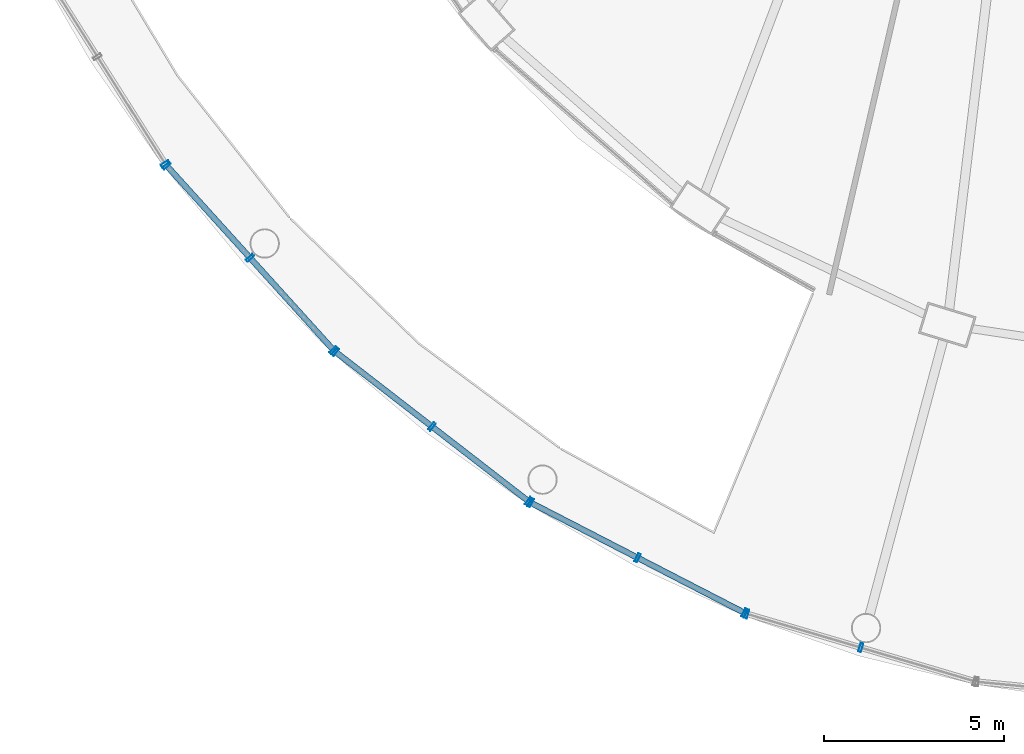
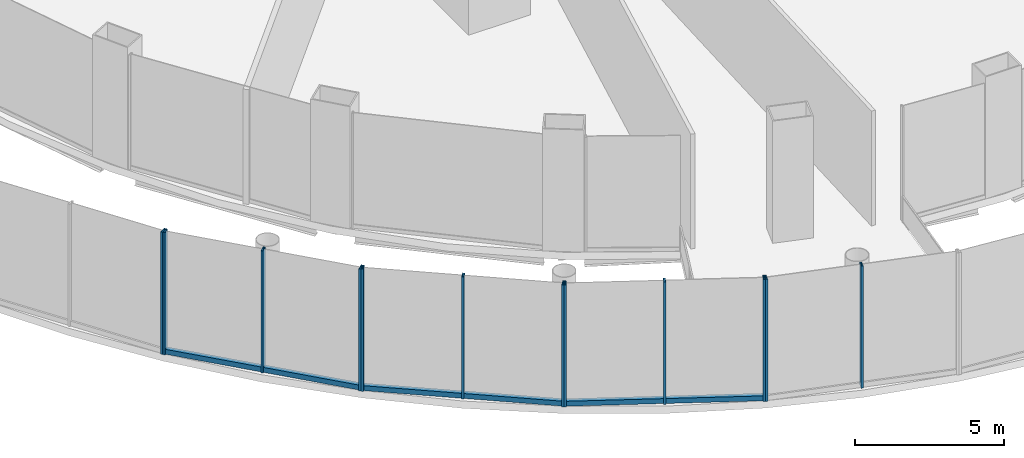
# One storey, part 3 of 48: 15 members, 5 elements without a shape of their own.
"""IFC4 building model written with IfcOpenShell, lengths in metres."""

from ifc_helpers import new_model, si_unit, direction, frame, origin, origin_2d, place, context, subcontext, project, spatial, hollow_rectangle, extrude, material, layer, layer_set, material_profile, profile_set, type_object, element, aggregate, save


model = new_model("IFC4")

# Units and contexts
model_context = context("Model", 3, precision=1e-05, world=origin(), true_north=direction((0.0, 1.0)))
body_context = subcontext(model_context, "Body", "Model", "MODEL_VIEW")
ifc_project = project(units=[si_unit("LENGTHUNIT", "METRE"), si_unit("AREAUNIT", "SQUARE_METRE"), si_unit("VOLUMEUNIT", "CUBIC_METRE"), si_unit("PLANEANGLEUNIT", "RADIAN"), si_unit("MASSUNIT", "GRAM", prefix="KILO")], contexts=[model_context])

# Site, building, storey
site_placement = place(None, origin())
site = spatial("IfcSite", under=ifc_project, at=site_placement, CompositionType="ELEMENT")
building_placement = place(site_placement, origin())
building = spatial("IfcBuilding", under=site, at=building_placement, Name="Nagisa Residences", CompositionType="ELEMENT")
storey_placement = place(building_placement, frame((0.0, 0.0, 12.0)))
storey = spatial("IfcBuildingStorey", under=building, at=storey_placement, Name="L02", CompositionType="ELEMENT", Elevation=12.0)

# Curtain wall, member
ifc_material_1 = material(Name="Stainless steel curtain wall system", Category="steel")
ifc_layer = layer(ifc_material_1, 0.159912109375)
ifc_layer_set = layer_set([ifc_layer], Name="CW3 CURTAIN WALL")
curtain_wall_type = type_object("IfcCurtainWallType", Name="CW3 CURTAIN WALL", PredefinedType="NOTDEFINED", material=ifc_layer_set)
curtain_wall_1_placement = place(storey_placement, origin())
curtain_wall_1 = element("IfcCurtainWall", 1, at=curtain_wall_1_placement, inside=storey, type_object=curtain_wall_type, Name="cw:CW3:L02:21", PredefinedType="NOTDEFINED")
ifc_material_2 = material(Name="Stainless steel", Category="steel")
ifc_material_profile_1 = material_profile(ifc_material_2, hollow_rectangle(XDim=0.25, YDim=0.080078125, WallThickness=0.008056640625, at=origin_2d()), Name="CW3 MULLION 250x80")
ifc_profile_set_1 = profile_set([ifc_material_profile_1], Name="Stainless steel")
member_type_1 = type_object("IfcMemberType", Name="CW3 MULLION 250x80", PredefinedType="MULLION", material=ifc_profile_set_1)
member_1_placement = place(storey_placement, frame((-25.463623046875, -26.92041015625, 0.0), z_axis=(0.0, 0.0, 1.0), x_axis=(0.844747368001, 0.535165286856, 0.0)))
member_1 = element("IfcMember", 2, at=member_1_placement, type_object=member_type_1, Name="CW3 mullion", PredefinedType="MULLION", context=body_context, shape_type="SweptSolid", body=[
    extrude(hollow_rectangle(XDim=0.25, YDim=0.080078125, WallThickness=0.008056640625, at=origin_2d()), origin(), (0.0, 0.0, 1.0), 5.0),
])
aggregate(curtain_wall_1, [member_1])

# Curtain wall, members
curtain_wall_2_placement = place(storey_placement, origin())
curtain_wall_2 = element("IfcCurtainWall", 3, at=curtain_wall_2_placement, inside=storey, type_object=curtain_wall_type, Name="cw:CW3:L02:22", PredefinedType="NOTDEFINED")
member_2_placement = place(storey_placement, frame((-25.423583984375, -26.97314453125, 0.0), z_axis=(0.0, 0.0, 1.0), x_axis=(0.741535779122, 0.670913323971, 0.0)))
member_2 = element("IfcMember", 4, at=member_2_placement, type_object=member_type_1, Name="CW3 mullion", PredefinedType="MULLION", context=body_context, shape_type="SweptSolid", body=[
    extrude(hollow_rectangle(XDim=0.25, YDim=0.080078125, WallThickness=0.008056640625, at=origin_2d()), origin(), (0.0, 0.0, 1.0), 5.0),
])
member_3_placement = place(storey_placement, frame((-23.1083984375, -29.53173828125, 0.0), z_axis=(0.0, 0.0, 1.0), x_axis=(0.741535779122, 0.670913323971, 0.0)))
member_3 = element("IfcMember", 5, at=member_3_placement, type_object=member_type_1, Name="CW3 mullion", PredefinedType="MULLION", context=body_context, shape_type="SweptSolid", body=[
    extrude(hollow_rectangle(XDim=0.25, YDim=0.080078125, WallThickness=0.008056640625, at=origin_2d()), origin(), (0.0, 0.0, 1.0), 5.0),
])
member_4_placement = place(storey_placement, frame((-20.79345703125, -32.090576171875, 0.0), z_axis=(0.0, 0.0, 1.0), x_axis=(0.741535779122, 0.670913323971, 0.0)))
member_4 = element("IfcMember", 6, at=member_4_placement, type_object=member_type_1, Name="CW3 mullion", PredefinedType="MULLION", context=body_context, shape_type="SweptSolid", body=[
    extrude(hollow_rectangle(XDim=0.25, YDim=0.080078125, WallThickness=0.008056640625, at=origin_2d()), origin(), (0.0, 0.0, 1.0), 5.0),
])

curtain_wall_3_placement = place(storey_placement, origin())
curtain_wall_3 = element("IfcCurtainWall", 7, at=curtain_wall_3_placement, inside=storey, type_object=curtain_wall_type, Name="cw:CW3:L02:23", PredefinedType="NOTDEFINED")
member_5_placement = place(storey_placement, frame((-20.745361328125, -32.135009765625, 0.0), z_axis=(0.0, 0.0, 1.0), x_axis=(0.612034757172, 0.790830864353, 0.0)))
member_5 = element("IfcMember", 8, at=member_5_placement, type_object=member_type_1, Name="CW3 mullion", PredefinedType="MULLION", context=body_context, shape_type="SweptSolid", body=[
    extrude(hollow_rectangle(XDim=0.25, YDim=0.080078125, WallThickness=0.008056640625, at=origin_2d()), origin(), (0.0, 0.0, 1.0), 5.0),
])
member_6_placement = place(storey_placement, frame((-18.06396484375, -34.210205078125, 0.0), z_axis=(0.0, 0.0, 1.0), x_axis=(0.612034757172, 0.790830864353, 0.0)))
member_6 = element("IfcMember", 9, at=member_6_placement, type_object=member_type_1, Name="CW3 mullion", PredefinedType="MULLION", context=body_context, shape_type="SweptSolid", body=[
    extrude(hollow_rectangle(XDim=0.25, YDim=0.080078125, WallThickness=0.008056640625, at=origin_2d()), origin(), (0.0, 0.0, 1.0), 5.0),
])
member_7_placement = place(storey_placement, frame((-15.382568359375, -36.285400390625, 0.0), z_axis=(0.0, 0.0, 1.0), x_axis=(0.612034757172, 0.790830864353, 0.0)))
member_7 = element("IfcMember", 10, at=member_7_placement, type_object=member_type_1, Name="CW3 mullion", PredefinedType="MULLION", context=body_context, shape_type="SweptSolid", body=[
    extrude(hollow_rectangle(XDim=0.25, YDim=0.080078125, WallThickness=0.008056640625, at=origin_2d()), origin(), (0.0, 0.0, 1.0), 5.0),
])

curtain_wall_4_placement = place(storey_placement, origin())
curtain_wall_4 = element("IfcCurtainWall", 11, at=curtain_wall_4_placement, inside=storey, type_object=curtain_wall_type, Name="cw:CW3:L02:24", PredefinedType="NOTDEFINED")
member_8_placement = place(storey_placement, frame((-15.327880859375, -36.3203125, 0.0), z_axis=(0.0, 0.0, 1.0), x_axis=(0.45812598783, 0.888887270285, 0.0)))
member_8 = element("IfcMember", 12, at=member_8_placement, type_object=member_type_1, Name="CW3 mullion", PredefinedType="MULLION", context=body_context, shape_type="SweptSolid", body=[
    extrude(hollow_rectangle(XDim=0.25, YDim=0.080078125, WallThickness=0.008056640625, at=origin_2d()), origin(), (0.0, 0.0, 1.0), 5.0),
])
member_9_placement = place(storey_placement, frame((-12.36181640625, -37.848876953125, 0.0), z_axis=(0.0, 0.0, 1.0), x_axis=(0.45812598783, 0.888887270285, 0.0)))
member_9 = element("IfcMember", 13, at=member_9_placement, type_object=member_type_1, Name="CW3 mullion", PredefinedType="MULLION", context=body_context, shape_type="SweptSolid", body=[
    extrude(hollow_rectangle(XDim=0.25, YDim=0.080078125, WallThickness=0.008056640625, at=origin_2d()), origin(), (0.0, 0.0, 1.0), 5.0),
])
member_10_placement = place(storey_placement, frame((-9.395751953125, -39.377685546875, 0.0), z_axis=(0.0, 0.0, 1.0), x_axis=(0.45812598783, 0.888887270285, 0.0)))
member_10 = element("IfcMember", 14, at=member_10_placement, type_object=member_type_1, Name="CW3 mullion", PredefinedType="MULLION", context=body_context, shape_type="SweptSolid", body=[
    extrude(hollow_rectangle(XDim=0.25, YDim=0.080078125, WallThickness=0.008056640625, at=origin_2d()), origin(), (0.0, 0.0, 1.0), 5.0),
])

curtain_wall_5_placement = place(storey_placement, origin())
curtain_wall_5 = element("IfcCurtainWall", 15, at=curtain_wall_5_placement, inside=storey, type_object=curtain_wall_type, Name="cw:CW3:L02:25", PredefinedType="NOTDEFINED")
member_11_placement = place(storey_placement, frame((-9.335693359375, -39.40185546875, 0.0), z_axis=(0.0, 0.0, 1.0), x_axis=(0.283963226669, 0.958835171393, 0.0)))
member_11 = element("IfcMember", 16, at=member_11_placement, type_object=member_type_1, Name="CW3 mullion", PredefinedType="MULLION", context=body_context, shape_type="SweptSolid", body=[
    extrude(hollow_rectangle(XDim=0.25, YDim=0.080078125, WallThickness=0.008056640625, at=origin_2d()), origin(), (0.0, 0.0, 1.0), 5.0),
])
member_12_placement = place(storey_placement, frame((-6.175048828125, -40.337890625, 0.0), z_axis=(0.0, 0.0, 1.0), x_axis=(0.283963226669, 0.958835171393, 0.0)))
member_12 = element("IfcMember", 17, at=member_12_placement, type_object=member_type_1, Name="CW3 mullion", PredefinedType="MULLION", context=body_context, shape_type="SweptSolid", body=[
    extrude(hollow_rectangle(XDim=0.25, YDim=0.080078125, WallThickness=0.008056640625, at=origin_2d()), origin(), (0.0, 0.0, 1.0), 5.0),
])
aggregate(curtain_wall_5, [member_11, member_12])

# Member
ifc_material_3 = material(Name="Stainless steel", Category="steel")
ifc_material_profile_2 = material_profile(ifc_material_3, hollow_rectangle(XDim=0.159912109375, YDim=0.199951171875, WallThickness=0.008056640625, at=origin_2d()), Name="CW3 TRANSOM 160x200")
ifc_profile_set_2 = profile_set([ifc_material_profile_2], Name="Stainless steel")
member_type_2 = type_object("IfcMemberType", Name="CW3 TRANSOM 160x200", PredefinedType="USERDEFINED", material=ifc_profile_set_2)
member_13_placement = place(storey_placement, frame((-25.450439453125, -26.943359375, 0.10009765625), z_axis=(0.670921565259, -0.741528322635, 0.0), x_axis=(0.741528322635, 0.670921565259, 0.0)))
member_13 = element("IfcMember", 18, at=member_13_placement, type_object=member_type_2, Name="CW3 transom", ObjectType="TRANSOM", PredefinedType="USERDEFINED", context=body_context, shape_type="SweptSolid", body=[
    extrude(hollow_rectangle(XDim=0.159912109375, YDim=0.199951171875, WallThickness=0.008056640625, at=origin_2d()), origin(), (0.0, 0.0, 1.0), 6.981201171875),
])

aggregate(curtain_wall_2, [member_2, member_3, member_4, member_13])

member_14_placement = place(storey_placement, frame((-20.77685546875, -32.110595703125, 0.10009765625), z_axis=(0.790821490188, -0.612046869656, 0.0), x_axis=(0.612046869656, 0.790821490188, 0.0)))
member_14 = element("IfcMember", 19, at=member_14_placement, type_object=member_type_2, Name="CW3 transom", ObjectType="TRANSOM", PredefinedType="USERDEFINED", context=body_context, shape_type="SweptSolid", body=[
    extrude(hollow_rectangle(XDim=0.159912109375, YDim=0.199951171875, WallThickness=0.008056640625, at=origin_2d()), origin(), (0.0, 0.0, 1.0), 6.86083984375),
])

aggregate(curtain_wall_3, [member_5, member_6, member_7, member_14])

member_15_placement = place(storey_placement, frame((-15.36328125, -36.302001953125, 0.10009765625), z_axis=(0.888887130152, -0.458126259726, 0.0), x_axis=(0.458126259726, 0.888887130152, 0.0)))
member_15 = element("IfcMember", 20, at=member_15_placement, type_object=member_type_2, Name="CW3 transom", ObjectType="TRANSOM", PredefinedType="USERDEFINED", context=body_context, shape_type="SweptSolid", body=[
    extrude(hollow_rectangle(XDim=0.159912109375, YDim=0.199951171875, WallThickness=0.008056640625, at=origin_2d()), origin(), (0.0, 0.0, 1.0), 6.753662109375),
])

aggregate(curtain_wall_4, [member_8, member_9, member_10, member_15])

save(model, "model.ifc")
